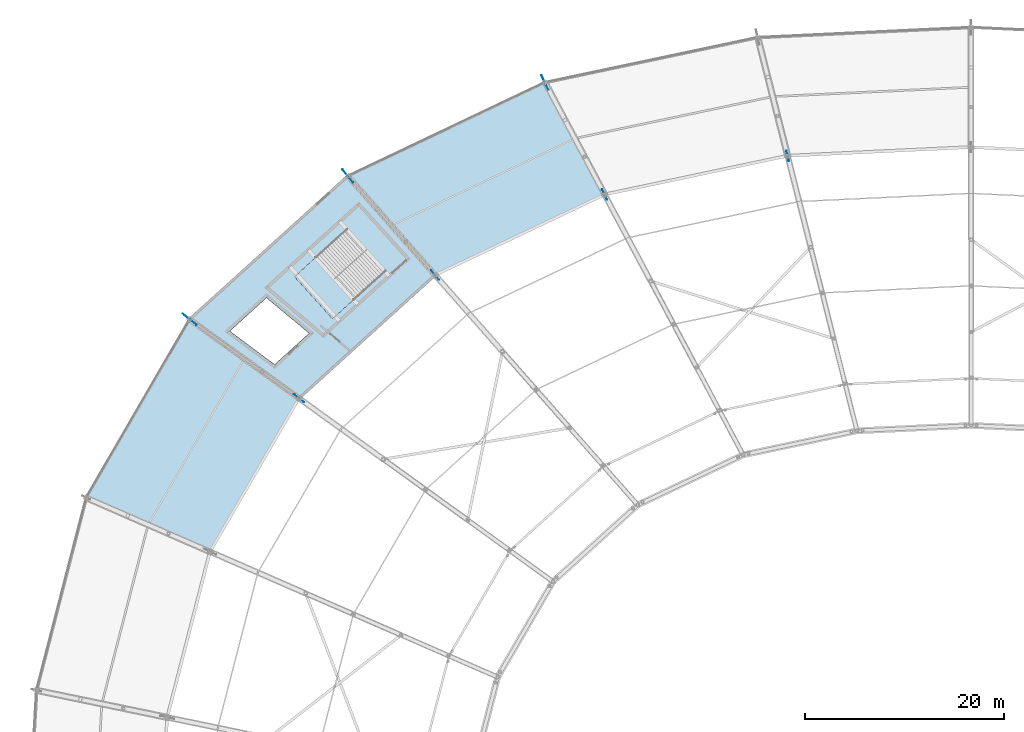
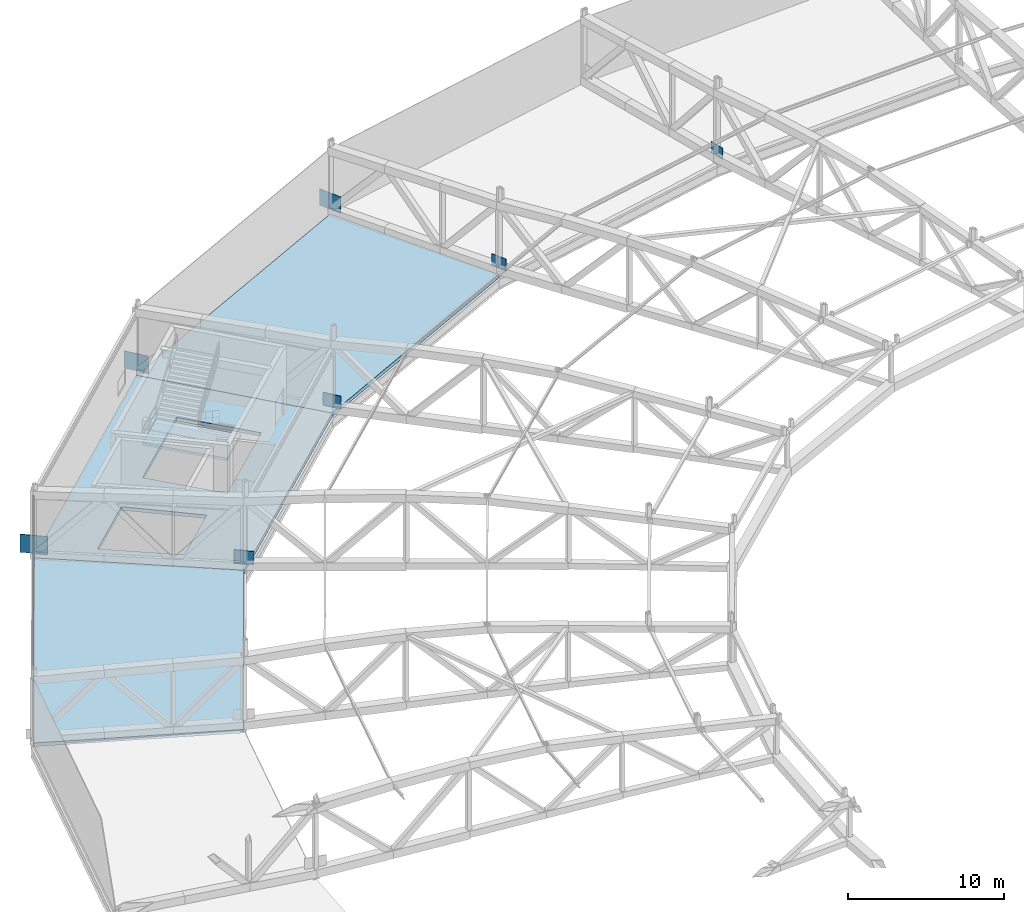
# One storey, part 145 of 162: 7 plates, 4 slabs, 1 element without a shape of its own.
"""IFC4 building model written with IfcOpenShell, lengths in metres."""

from ifc_helpers import new_model, si_unit, direction, frame, origin, origin_2d, place, context, subcontext, project, spatial, polyline, rectangle, outline, extrude, material, layer, layer_set, type_object, element, aggregate, save


model = new_model("IFC4")

# Units and contexts
model_context = context("Model", 3, precision=1e-05, world=origin(), true_north=direction((0.0, 1.0)))
body_context = subcontext(model_context, "Body", "Model", "MODEL_VIEW")
ifc_project = project(units=[si_unit("LENGTHUNIT", "METRE"), si_unit("AREAUNIT", "SQUARE_METRE"), si_unit("VOLUMEUNIT", "CUBIC_METRE"), si_unit("PLANEANGLEUNIT", "RADIAN"), si_unit("MASSUNIT", "GRAM", prefix="KILO")], contexts=[model_context])

# Site, building, storey
site_placement = place(None, origin())
site = spatial("IfcSite", under=ifc_project, at=site_placement, CompositionType="ELEMENT")
building_placement = place(site_placement, origin())
building = spatial("IfcBuilding", under=site, at=building_placement, Name="Kazemori Nagisa Stadium", CompositionType="ELEMENT")
storey_placement = place(building_placement, frame((0.0, 0.0, 36.719970703125)))
storey = spatial("IfcBuildingStorey", under=building, at=storey_placement, Name="RF", CompositionType="ELEMENT", Elevation=36.719970703125)

# Plates
ifc_material_1 = material(Name="Steel SN490B", Category="steel")
ifc_layer_1 = layer(ifc_material_1, 0.0439453125, Name="Steel SN490B", Category="steel")
ifc_layer_set_1 = layer_set([ifc_layer_1], Name="Steel SN490B")
plate_type_1 = type_object("IfcPlateType", Name="GussetPlate_GP-03", PredefinedType="SHEET", material=ifc_layer_set_1)
plate_1_placement = place(storey_placement, frame((104.572265625, 175.088623046875, 0.47998046875), z_axis=(0.0, 0.0, 1.0), x_axis=(-0.222520933954, 0.974927912182, 0.0)))
element("IfcPlate", 1, at=plate_1_placement, inside=storey, type_object=plate_type_1, Name="Roof truss anchor gusset plate GP-03 RT-09-R2", PredefinedType="SHEET", context=body_context, shape_type="SweptSolid", body=[
    extrude(rectangle(XDim=1.06005859375, YDim=0.0439453125, at=origin_2d()), origin(), (0.0, 0.0, 1.0), 0.8701171875),
])
ifc_layer_2 = layer(ifc_material_1, 0.048095703125, Name="Steel SN490B", Category="steel")
ifc_layer_set_2 = layer_set([ifc_layer_2], Name="Steel SN490B")
plate_type_2 = type_object("IfcPlateType", Name="GussetPlate_GP-04", PredefinedType="SHEET", material=ifc_layer_set_2)
plate_2_placement = place(storey_placement, frame((86.18798828125, 171.19921875, 0.47998046875), z_axis=(0.0, 0.0, 1.0), x_axis=(-0.433883739113, 0.900968867905, 0.0)))
element("IfcPlate", 2, at=plate_2_placement, inside=storey, type_object=plate_type_2, Name="Roof truss anchor gusset plate GP-04 RT-10-R2", PredefinedType="SHEET", context=body_context, shape_type="SweptSolid", body=[
    extrude(rectangle(XDim=1.139892578125, YDim=0.048095703125, at=origin_2d()), origin(), (0.0, 0.0, 1.0), 0.929931640625),
])
ifc_layer_3 = layer(ifc_material_1, 0.035888671875, Name="Steel SN490B", Category="steel")
ifc_layer_set_3 = layer_set([ifc_layer_3], Name="Steel SN490B")
plate_type_3 = type_object("IfcPlateType", Name="GussetPlate_GP-05", PredefinedType="SHEET", material=ifc_layer_set_3)
plate_3_placement = place(storey_placement, frame((69.165771484375, 163.11083984375, 0.47998046875), z_axis=(0.0, 0.0, 1.0), x_axis=(-0.623489801853, 0.781831482473, 0.0)))
element("IfcPlate", 3, at=plate_3_placement, inside=storey, type_object=plate_type_3, Name="Roof truss anchor gusset plate GP-05 RT-11-R2", PredefinedType="SHEET", context=body_context, shape_type="SweptSolid", body=[
    extrude(rectangle(XDim=1.219970703125, YDim=0.035888671875, at=origin_2d()), origin(), (0.0, 0.0, 1.0), 0.989990234375),
])
ifc_layer_4 = layer(ifc_material_1, 0.0400390625, Name="Steel SN490B", Category="steel")
ifc_layer_set_4 = layer_set([ifc_layer_4], Name="Steel SN490B")
plate_type_4 = type_object("IfcPlateType", Name="GussetPlate_GP-06", PredefinedType="SHEET", material=ifc_layer_set_4)
plate_4_placement = place(storey_placement, frame((55.493896484375, 150.734130859375, 0.47998046875), z_axis=(0.0, 0.0, 1.0), x_axis=(-0.781831482473, 0.623489801853, 0.0)))
element("IfcPlate", 4, at=plate_4_placement, inside=storey, type_object=plate_type_4, Name="Roof truss anchor gusset plate GP-06 RT-12-R2", PredefinedType="SHEET", context=body_context, shape_type="SweptSolid", body=[
    extrude(rectangle(XDim=1.300048828125, YDim=0.0400390625, at=origin_2d()), origin(), (0.0, 0.0, 1.0), 1.050048828125),
])
ifc_layer_5 = layer(ifc_material_1, 0.0400390625, Name="Steel SN490B", Category="steel")
ifc_layer_set_5 = layer_set([ifc_layer_5], Name="Steel SN490B")
plate_type_5 = type_object("IfcPlateType", Name="GussetPlate_GP-10", PredefinedType="SHEET", material=ifc_layer_set_5)
plate_5_placement = place(storey_placement, frame((80.1953125, 182.46435546875, 0.360107421875), z_axis=(0.0, 0.0, 1.0), x_axis=(-0.433883739113, 0.900968867905, 0.0)))
element("IfcPlate", 5, at=plate_5_placement, inside=storey, type_object=plate_type_5, Name="Roof truss anchor gusset plate GP-10 RT-10-R3", PredefinedType="SHEET", context=body_context, shape_type="SweptSolid", body=[
    extrude(rectangle(XDim=1.6201171875, YDim=0.0400390625, at=origin_2d()), origin(), (0.0, 0.0, 1.0), 1.2900390625),
])
ifc_layer_6 = layer(ifc_material_1, 0.0439453125, Name="Steel SN490B", Category="steel")
ifc_layer_set_6 = layer_set([ifc_layer_6], Name="Steel SN490B")
plate_type_6 = type_object("IfcPlateType", Name="GussetPlate_GP-11", PredefinedType="SHEET", material=ifc_layer_set_6)
plate_6_placement = place(storey_placement, frame((60.402099609375, 173.05908203125, 0.35986328125), z_axis=(0.0, 0.0, 1.0), x_axis=(-0.623489801853, 0.781831482473, 0.0)))
element("IfcPlate", 6, at=plate_6_placement, inside=storey, type_object=plate_type_6, Name="Roof truss anchor gusset plate GP-11 RT-11-R3", PredefinedType="SHEET", context=body_context, shape_type="SweptSolid", body=[
    extrude(rectangle(XDim=1.699951171875, YDim=0.0439453125, at=origin_2d()), origin(), (0.0, 0.0, 1.0), 1.35009765625),
])
ifc_layer_7 = layer(ifc_material_1, 0.048095703125, Name="Steel SN490B", Category="steel")
ifc_layer_set_7 = layer_set([ifc_layer_7], Name="Steel SN490B")
plate_type_7 = type_object("IfcPlateType", Name="GussetPlate_GP-12", PredefinedType="SHEET", material=ifc_layer_set_7)
plate_7_placement = place(storey_placement, frame((44.504638671875, 158.667724609375, 0.35986328125), z_axis=(0.0, 0.0, 1.0), x_axis=(-0.781831482473, 0.623489801853, 0.0)))
element("IfcPlate", 7, at=plate_7_placement, inside=storey, type_object=plate_type_7, Name="Roof truss anchor gusset plate GP-12 RT-12-R3", PredefinedType="SHEET", context=body_context, shape_type="SweptSolid", body=[
    extrude(rectangle(XDim=1.780029296875, YDim=0.048095703125, at=origin_2d()), origin(), (0.0, 0.0, 1.0), 1.409912109375),
])

# Stair, slab
ifc_material_2 = material(Name="Concrete C36/45 (Fc36)", Category="concrete")
stair_type = type_object("IfcStairType", Name="Stair_CORE_32", PredefinedType="TWO_STRAIGHT_RUN_STAIR", material=ifc_material_2)
stair_placement = place(storey_placement, origin())
stair = element("IfcStair", 8, at=stair_placement, inside=storey, type_object=stair_type, Name="Exit stair ST02 RF", PredefinedType="TWO_STRAIGHT_RUN_STAIR")
ifc_layer_8 = layer(ifc_material_2, 0.199951171875, Name="Concrete C36/45 (Fc36)", Category="concrete")
ifc_layer_set_8 = layer_set([ifc_layer_8], Name="Concrete C36/45 (Fc36)")
slab_type_1 = type_object("IfcSlabType", Name="Slab_SL-LND-200", PredefinedType="LANDING", material=ifc_layer_set_8)
slab_1_placement = place(storey_placement, frame((0.0, 0.0, 2.52001953125)))
slab_1 = element("IfcSlab", 9, at=slab_1_placement, type_object=slab_type_1, Name="Exit stair ST02 RF mid-landing", PredefinedType="LANDING", context=body_context, shape_type="SweptSolid", body=[
    extrude(outline(polyline([(60.97412109375, 160.630615234375), (58.861328125, 158.7177734375), (55.035888671875, 162.943603515625), (57.148681640625, 164.856201171875), (60.97412109375, 160.630615234375)])), origin(), (0.0, 0.0, 1.0), 0.199951171875),
])
aggregate(stair, [slab_1])

# Slabs
ifc_layer_9 = layer(ifc_material_2, 0.280029296875, Name="Concrete C36/45 (Fc36)", Category="concrete")
ifc_layer_set_9 = layer_set([ifc_layer_9], Name="Concrete C36/45 (Fc36)")
slab_type_2 = type_object("IfcSlabType", Name="Slab_SL-RF-280", PredefinedType="FLOOR", material=ifc_layer_set_9)
slab_2_placement = place(storey_placement, frame((0.0, 0.0, -0.280029296875)))
element("IfcSlab", 10, at=slab_2_placement, inside=storey, type_object=slab_type_2, Name="Concourse floor slab RF bay 11", PredefinedType="FLOOR", context=body_context, shape_type="SweptSolid", body=[
    extrude(outline(polyline([(69.165771484375, 163.11083984375), (55.493896484375, 150.734130859375), (44.504638671875, 158.667724609375), (60.402099609375, 173.05908203125), (69.165771484375, 163.11083984375)]), holes=[polyline([(64.12109375, 163.4794921875), (58.861328125, 158.7177734375), (55.035888671875, 162.943603515625), (60.2958984375, 167.705078125), (64.12109375, 163.4794921875)]), polyline([(56.495361328125, 157.260498046875), (53.046142578125, 154.13818359375), (48.557861328125, 157.4833984375), (52.228271484375, 160.80615234375), (56.495361328125, 157.260498046875)])]), origin(), (0.0, 0.0, 1.0), 0.280029296875),
])
ifc_layer_10 = layer(ifc_material_2, 0.280029296875, Name="Concrete C36/45 (Fc36)", Category="concrete")
ifc_layer_set_10 = layer_set([ifc_layer_10], Name="Concrete C36/45 (Fc36)")
slab_type_3 = type_object("IfcSlabType", Name="Slab_SL-RF-GOND-280", PredefinedType="ROOF", material=ifc_layer_set_10)
slab_3_placement = place(storey_placement, frame((0.0, 0.0, -0.280029296875)))
element("IfcSlab", 11, at=slab_3_placement, inside=storey, type_object=slab_type_3, Name="Media gondola and high-core roof closure slab RF B10", PredefinedType="ROOF", context=body_context, shape_type="SweptSolid", body=[
    extrude(outline(polyline([(86.18798828125, 171.19921875), (69.165771484375, 163.11083984375), (60.402099609375, 173.05908203125), (80.1953125, 182.46435546875), (86.18798828125, 171.19921875)])), origin(), (0.0, 0.0, 1.0), 0.280029296875),
])
slab_4_placement = place(storey_placement, frame((0.0, 0.0, -0.280029296875)))
element("IfcSlab", 12, at=slab_4_placement, inside=storey, type_object=slab_type_3, Name="Media gondola and high-core roof closure slab RF B12", PredefinedType="ROOF", context=body_context, shape_type="SweptSolid", body=[
    extrude(outline(polyline([(55.493896484375, 150.734130859375), (46.55908203125, 135.32470703125), (34.114990234375, 140.74951171875), (44.504638671875, 158.667724609375), (55.493896484375, 150.734130859375)])), origin(), (0.0, 0.0, 1.0), 0.280029296875),
])

save(model, "model.ifc")
